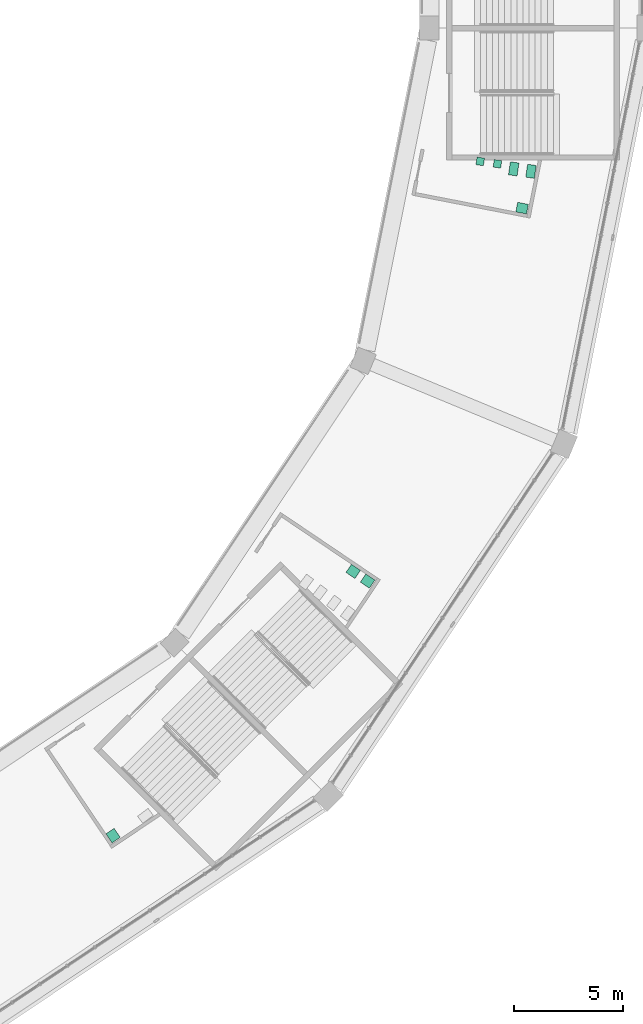
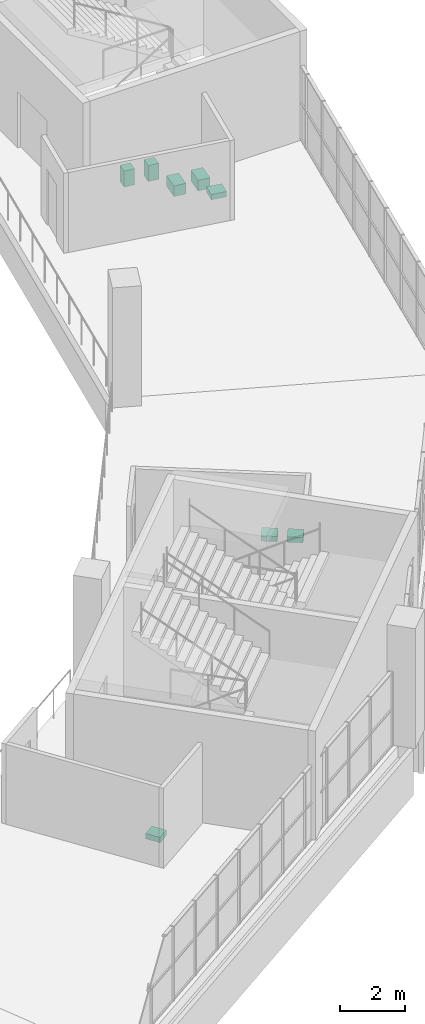
# One storey, part 175 of 177: 8 sanitary terminals.
"""IFC4 building model written with IfcOpenShell, lengths in metres."""

from ifc_helpers import new_model, si_unit, direction, frame, origin, origin_2d, place, context, subcontext, project, spatial, rectangle, extrude, material, type_object, element, save


model = new_model("IFC4")

# Units and contexts
model_context = context("Model", 3, precision=1e-05, world=origin(), true_north=direction((0.0, 1.0)))
body_context = subcontext(model_context, "Body", "Model", "MODEL_VIEW")
ifc_project = project(units=[si_unit("LENGTHUNIT", "METRE"), si_unit("AREAUNIT", "SQUARE_METRE"), si_unit("VOLUMEUNIT", "CUBIC_METRE"), si_unit("PLANEANGLEUNIT", "RADIAN"), si_unit("MASSUNIT", "GRAM", prefix="KILO")], contexts=[model_context])

# Site, building, storey
site_placement = place(None, origin())
site = spatial("IfcSite", under=ifc_project, at=site_placement, CompositionType="ELEMENT")
building_placement = place(site_placement, origin())
building = spatial("IfcBuilding", under=site, at=building_placement, Name="Ogive Plaza Stadium", CompositionType="ELEMENT")
storey_placement = place(building_placement, frame((0.0, 0.0, 18.0)))
storey = spatial("IfcBuildingStorey", under=building, at=storey_placement, Name="L04", CompositionType="ELEMENT", Elevation=18.0)

# Sanitary terminals
ifc_material_1 = material(Name="Vitreous china", Category="ceramic")
sanitary_terminal_type_1 = type_object("IfcSanitaryTerminalType", Name="Lavatory", PredefinedType="WASHHANDBASIN", material=ifc_material_1)
for number, where, z_axis, x_axis, name in (
    (1, (78.270263671875, -60.78173828125, 0.7998046875), (0.0, 0.0, 1.0), (-0.982017740826, 0.18878865618, 0.0), "Lavatory L04-001"),
    (2, (71.159912109375, -77.94775390625, 0.7998046875), (0.0, 0.0, 1.0), (-0.82788514278, 0.560897664788, 0.0), "Lavatory L04-002"),
    (3, (70.49755859375, -77.4990234375, 0.7998046875), (0.0, 0.0, 1.0), (-0.82788514278, 0.560897664788, 0.0), "Lavatory L04-002"),
    (4, (59.44775390625, -89.659912109375, 0.7998046875), (0.0, 0.0, 1.0), (-0.560897664788, 0.82788514278, 0.0), "Lavatory L04-003"),
):
    element("IfcSanitaryTerminal", number, at=place(storey_placement, frame(where, z_axis=z_axis, x_axis=x_axis)), inside=storey, type_object=sanitary_terminal_type_1, Name=name, PredefinedType="WASHHANDBASIN", context=body_context, shape_type="SweptSolid", body=[
        extrude(rectangle(XDim=0.5, YDim=0.449951171875, at=origin_2d()), origin(), (0.0, 0.0, 1.0), 0.199951171875),
    ])
ifc_material_2 = material(Name="Vitreous china", Category="ceramic")
sanitary_terminal_type_2 = type_object("IfcSanitaryTerminalType", Name="Urinal", PredefinedType="URINAL", material=ifc_material_2)
for number, where, z_axis, x_axis, name in (
    (5, (77.135498046875, -58.743408203125, 0.599853515625), (0.0, 0.0, 1.0), (-0.990254218377, 0.139271615869, 0.0), "Urinal L04-001"),
    (6, (76.34326171875, -58.632080078125, 0.599853515625), (0.0, 0.0, 1.0), (-0.990254218377, 0.139271615869, 0.0), "Urinal L04-001"),
):
    element("IfcSanitaryTerminal", number, at=place(storey_placement, frame(where, z_axis=z_axis, x_axis=x_axis)), inside=storey, type_object=sanitary_terminal_type_2, Name=name, PredefinedType="URINAL", context=body_context, shape_type="SweptSolid", body=[
        extrude(rectangle(XDim=0.35009765625, YDim=0.35009765625, at=origin_2d()), origin(), (0.0, 0.0, 1.0), 0.60009765625),
    ])
ifc_material_3 = material(Name="Vitreous china", Category="ceramic")
sanitary_terminal_type_3 = type_object("IfcSanitaryTerminalType", Name="Water closet", PredefinedType="TOILETPAN", material=ifc_material_3)
for number, where, z_axis, x_axis, name in (
    (7, (78.677734375, -59.08642578125, 0.0), (0.0, 0.0, 1.0), (-0.990254218377, 0.139271615869, 0.0), "Water closet L04-001"),
    (8, (77.885498046875, -58.97509765625, 0.0), (0.0, 0.0, 1.0), (-0.990254218377, 0.139271615869, 0.0), "Water closet L04-001"),
):
    element("IfcSanitaryTerminal", number, at=place(storey_placement, frame(where, z_axis=z_axis, x_axis=x_axis)), inside=storey, type_object=sanitary_terminal_type_3, Name=name, PredefinedType="TOILETPAN", context=body_context, shape_type="SweptSolid", body=[
        extrude(rectangle(XDim=0.39990234375, YDim=0.60009765625, at=origin_2d()), origin(), (0.0, 0.0, 1.0), 0.39990234375),
    ])

save(model, "model.ifc")
